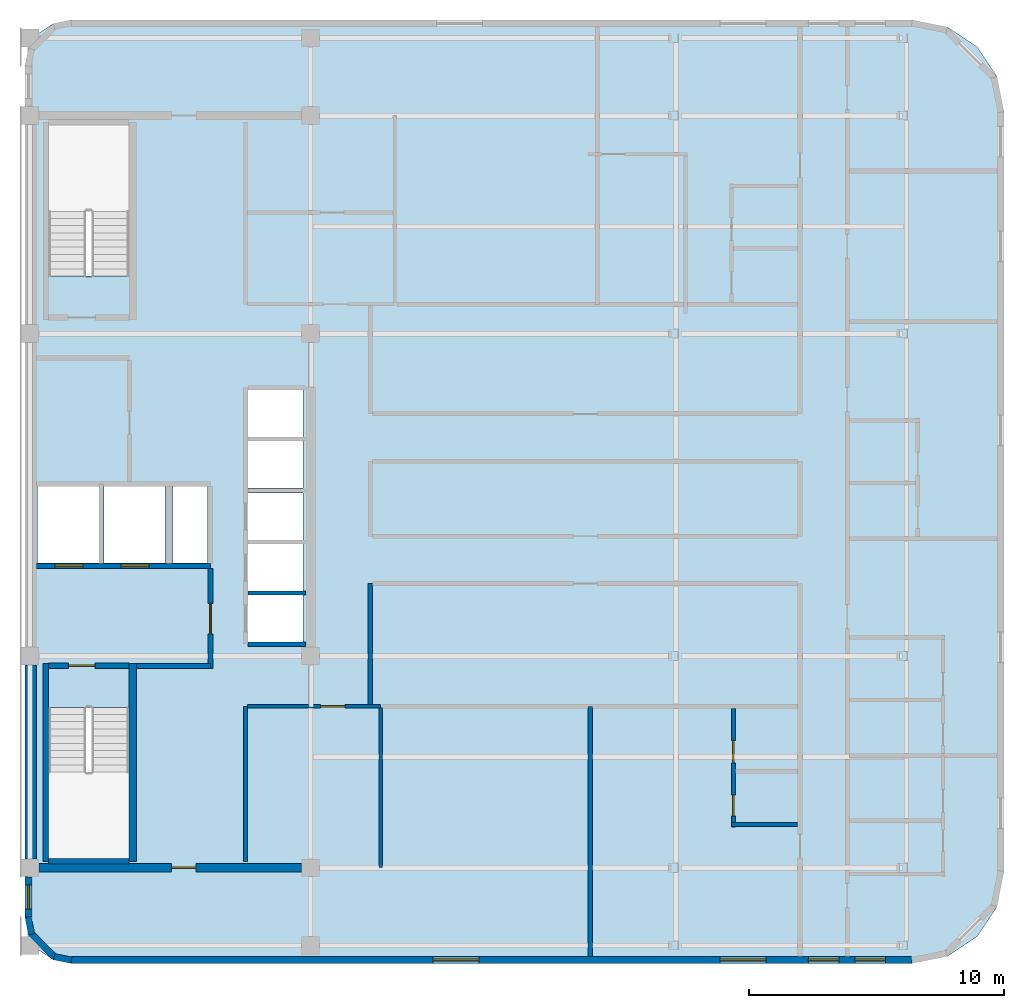
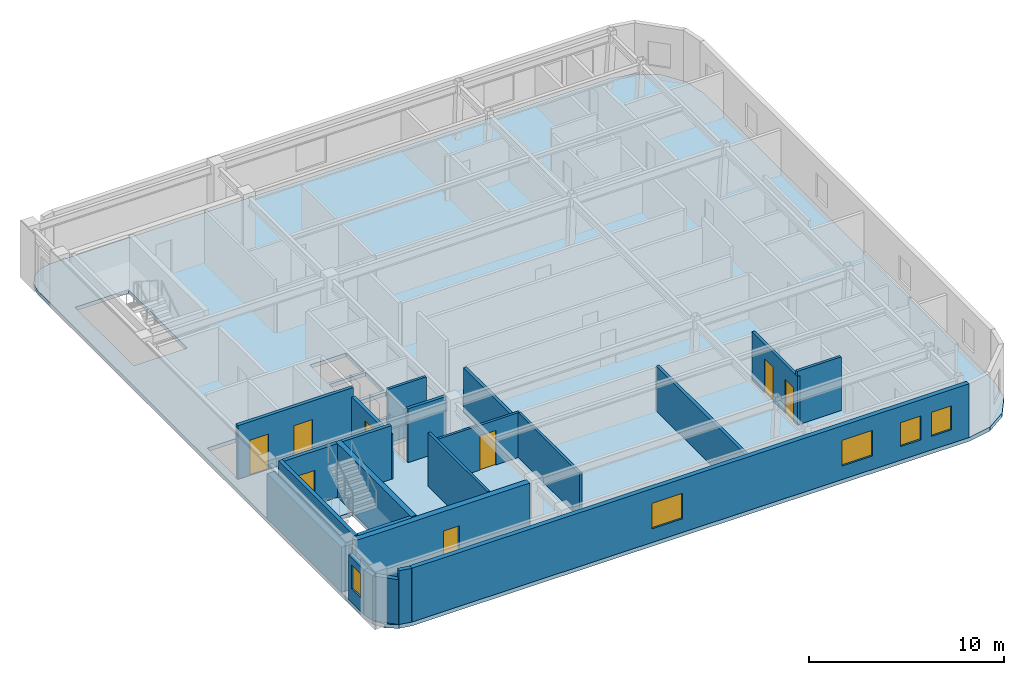
# One storey, part 2 of 6: 23 walls, 8 doors, 5 windows, 1 slab, 13 openings.
"""IFC4 building model written with IfcOpenShell, lengths in metres."""

from ifc_helpers import new_model, si_unit, direction, frame, frame_2d, origin, place, context, subcontext, project, spatial, polyline, rectangle, outline, extrude, material, layer, layer_set, type_object, element, fill, save


model = new_model("IFC4")

# Units and contexts
model_context = context("Model", 3, precision=1e-05, world=origin(), true_north=direction((0.0, 1.0)))
body_context = subcontext(model_context, "Body", "Model", "MODEL_VIEW")
ifc_project = project(units=[si_unit("LENGTHUNIT", "METRE"), si_unit("AREAUNIT", "SQUARE_METRE"), si_unit("VOLUMEUNIT", "CUBIC_METRE"), si_unit("PLANEANGLEUNIT", "RADIAN"), si_unit("MASSUNIT", "GRAM", prefix="KILO")], contexts=[model_context])

# Site, building, storey
site_placement = place(None, origin())
site = spatial("IfcSite", under=ifc_project, at=site_placement, CompositionType="ELEMENT")
building_placement = place(site_placement, origin())
building = spatial("IfcBuilding", under=site, at=building_placement, Name="Ochreholt Gables", CompositionType="ELEMENT")
storey_placement = place(building_placement, frame((0.0, 0.0, 271.199951171875)))
storey = spatial("IfcBuildingStorey", under=building, at=storey_placement, Name="L71", CompositionType="ELEMENT", Elevation=271.199951171875)

# Slab
ifc_material_1 = material(Name="Concrete 40 MPa", Category="concrete")
ifc_layer_1 = layer(ifc_material_1, 0.239990234375, Name="Concrete 40 MPa")
ifc_layer_set_1 = layer_set([ifc_layer_1], Name="Concrete 40 MPa")
slab_type = type_object("IfcSlabType", Name="SLAB-TWR-240", PredefinedType="FLOOR", material=ifc_layer_set_1)
slab_placement = place(storey_placement, frame((0.0, 0.0, -0.239990234375)))
element("IfcSlab", 1, at=slab_placement, inside=storey, type_object=slab_type, Name="L71 Structural Floor Slab", PredefinedType="FLOOR", context=body_context, shape_type="SweptSolid", body=[
    extrude(outline(polyline([(24.0, 7.300048828125), (24.136962890625, 6.611083984375), (24.527099609375, 6.027099609375), (25.111083984375, 5.636962890625), (25.800048828125, 5.5), (58.800048828125, 5.5), (60.177734375, 5.77392578125), (61.345703125, 6.554443359375), (62.1259765625, 7.722412109375), (62.39990234375, 9.10009765625), (62.39990234375, 38.89990234375), (62.1259765625, 40.277587890625), (61.345703125, 41.445556640625), (60.177734375, 42.22607421875), (58.800048828125, 42.5), (25.800048828125, 42.5), (25.111083984375, 42.363037109375), (24.527099609375, 41.972900390625), (24.136962890625, 41.388916015625), (24.0, 40.699951171875), (24.0, 7.300048828125)]), holes=[polyline([(24.919921875, 15.539306640625), (24.919921875, 9.52001953125), (28.080078125, 9.52001953125), (28.080078125, 15.539306640625), (24.919921875, 15.539306640625)]), polyline([(28.080078125, 32.460693359375), (28.080078125, 38.47998046875), (24.919921875, 38.47998046875), (24.919921875, 32.460693359375), (28.080078125, 32.460693359375)]), polyline([(24.5, 21.199951171875), (26.89990234375, 21.199951171875), (26.89990234375, 24.199951171875), (24.5, 24.199951171875), (24.5, 21.199951171875)]), polyline([(27.10009765625, 21.199951171875), (29.5, 21.199951171875), (29.5, 24.199951171875), (27.10009765625, 24.199951171875), (27.10009765625, 21.199951171875)]), polyline([(32.75, 18.10009765625), (34.89990234375, 18.10009765625), (34.89990234375, 19.949951171875), (32.75, 19.949951171875), (32.75, 18.10009765625)]), polyline([(32.75, 20.10009765625), (34.89990234375, 20.10009765625), (34.89990234375, 21.949951171875), (32.75, 21.949951171875), (32.75, 20.10009765625)]), polyline([(32.75, 22.10009765625), (34.89990234375, 22.10009765625), (34.89990234375, 23.949951171875), (32.75, 23.949951171875), (32.75, 22.10009765625)]), polyline([(32.75, 24.14990234375), (34.89990234375, 24.14990234375), (34.89990234375, 26.0), (32.75, 26.0), (32.75, 24.14990234375)]), polyline([(32.75, 26.14990234375), (34.89990234375, 26.14990234375), (34.89990234375, 28.0), (32.75, 28.0), (32.75, 26.14990234375)]), polyline([(29.800048828125, 21.199951171875), (31.14990234375, 21.199951171875), (31.14990234375, 24.199951171875), (29.800048828125, 24.199951171875), (29.800048828125, 21.199951171875)])]), origin(), (0.0, 0.0, 1.0), 0.239990234375),
])

# Wall, opening, door
ifc_material_2 = material(Name="Concrete 50 MPa", Category="concrete")
ifc_layer_2 = layer(ifc_material_2, 0.35009765625, Name="Concrete 50 MPa")
ifc_layer_set_2 = layer_set([ifc_layer_2], Name="Concrete 50 MPa")
wall_type_1 = type_object("IfcWallType", Name="WALL-CSW-350", PredefinedType="SHEAR", material=ifc_layer_set_2)
wall_1_placement = place(storey_placement, frame((24.550048828125, 9.25, 0.0), z_axis=(0.0, 0.0, 1.0), x_axis=(1.0, 0.0, 0.0)))
wall_1 = element("IfcWall", 2, at=wall_1_placement, inside=storey, type_object=wall_type_1, Name="L71 Core South Shear Wall", PredefinedType="SHEAR", context=body_context, shape_type="SweptSolid", body=[
    extrude(rectangle(XDim=10.300048828125, YDim=0.35009765625, at=frame_2d((5.14990234375, 0.0))), origin(), (0.0, 0.0, 1.0), 3.360107421875),
])
opening_1_placement = place(wall_1_placement, frame((5.199951171875, 0.0, 0.0)))
opening_1 = element("IfcOpeningElement", 3, at=opening_1_placement, cuts=wall_1, Name="Opening D-FL2", PredefinedType="OPENING", context=body_context, shape_type="SweptSolid", body=[
    extrude(rectangle(XDim=0.949951171875, YDim=2.14990234375, at=frame_2d((0.47509765625, 1.074951171875))), frame((0.0, 0.18505859375, 0.0), z_axis=(0.0, -1.0, 0.0), x_axis=(1.0, 0.0, 0.0)), (0.0, 0.0, 1.0), 0.3701171875),
])
ifc_material_3 = material(Name="Hollow Metal Steel", Category="steel")
door_type_1 = type_object("IfcDoorType", Name="DR-INT-FLB950", OperationType="NOTDEFINED", PredefinedType="DOOR", material=ifc_material_3)
door_1_placement = place(opening_1_placement, frame((0.949951171875, 0.0, 0.0), z_axis=(0.0, 0.0, 1.0), x_axis=(-1.0, 0.0, 0.0)))
door_1 = element("IfcDoor", 4, at=door_1_placement, inside=storey, type_object=door_type_1, Name="L71 Door D-C3SSL-L71", OperationType="SINGLE_SWING_LEFT", OverallHeight=2.14990234375, OverallWidth=0.949951171875, PredefinedType="DOOR", context=body_context, shape_type="SweptSolid", body=[
    extrude(rectangle(XDim=0.949951171875, YDim=2.14990234375, at=frame_2d((0.47509765625, 1.074951171875))), frame((0.0, 0.02490234375, 0.0), z_axis=(0.0, -1.0, 0.0), x_axis=(1.0, 0.0, 0.0)), (0.0, 0.0, 1.0), 0.050048828125),
])
fill(opening_1, door_1)

# Wall
ifc_layer_3 = layer(ifc_material_2, 0.449951171875, Name="Concrete 50 MPa")
ifc_layer_set_3 = layer_set([ifc_layer_3], Name="Concrete 50 MPa")
wall_type_2 = type_object("IfcWallType", Name="WALL-CSW-EXT", PredefinedType="SHEAR", material=ifc_layer_set_3)
wall_2_placement = place(storey_placement, frame((24.22509765625, 9.60009765625, 0.0), z_axis=(0.0, 0.0, 1.0), x_axis=(0.0, 1.0, 0.0)))
element("IfcWall", 5, at=wall_2_placement, inside=storey, type_object=wall_type_2, Name="L71 Core West Shear Wall WS", PredefinedType="SHEAR", context=body_context, shape_type="SweptSolid", body=[
    extrude(rectangle(XDim=7.599853515625, YDim=0.449951171875, at=frame_2d((3.7998046875, 0.0))), origin(), (0.0, 0.0, 1.0), 2.821044921875),
])

# Wall, openings, windows
ifc_material_4 = material(Name="Precast concrete 40 MPa", Category="concrete")
ifc_layer_4 = layer(ifc_material_4, 0.27001953125, Name="Precast concrete 40 MPa")
ifc_layer_set_4 = layer_set([ifc_layer_4], Name="Precast concrete 40 MPa")
wall_type_3 = type_object("IfcWallType", Name="WALL-EXT-270", PredefinedType="SOLIDWALL", material=ifc_layer_set_4)
wall_3_placement = place(storey_placement, frame((25.820068359375, 5.635009765625, 0.0), z_axis=(0.0, 0.0, 1.0), x_axis=(1.0, 0.0, 0.0)))
wall_3 = element("IfcWall", 6, at=wall_3_placement, inside=storey, type_object=wall_type_3, Name="L71 South Exterior Wall", PredefinedType="SOLIDWALL", context=body_context, shape_type="SweptSolid", body=[
    extrude(rectangle(XDim=32.9599609375, YDim=0.27001953125, at=frame_2d((16.47998046875, 0.0))), origin(), (0.0, 0.0, 1.0), 3.360107421875),
])
opening_2_placement = place(wall_3_placement, frame((14.1875, 0.0, 0.85009765625)))
opening_2 = element("IfcOpeningElement", 7, at=opening_2_placement, cuts=wall_3, Name="Opening WN-1", PredefinedType="OPENING", context=body_context, shape_type="SweptSolid", body=[
    extrude(rectangle(XDim=1.800048828125, YDim=1.60009765625, at=frame_2d((0.89990234375, 0.800048828125))), frame((0.0, 0.14501953125, 0.0), z_axis=(0.0, -1.0, 0.0), x_axis=(1.0, 0.0, 0.0)), (0.0, 0.0, 1.0), 0.2900390625),
])
opening_3_placement = place(wall_3_placement, frame((25.445556640625, 0.0, 0.85009765625)))
opening_3 = element("IfcOpeningElement", 8, at=opening_3_placement, cuts=wall_3, Name="Opening WN-1", PredefinedType="OPENING", context=body_context, shape_type="SweptSolid", body=[
    extrude(rectangle(XDim=1.800048828125, YDim=1.60009765625, at=frame_2d((0.89990234375, 0.800048828125))), frame((0.0, 0.14501953125, 0.0), z_axis=(0.0, -1.0, 0.0), x_axis=(1.0, 0.0, 0.0)), (0.0, 0.0, 1.0), 0.2900390625),
])
opening_4_placement = place(wall_3_placement, frame((28.905029296875, 0.0, 0.85009765625)))
opening_4 = element("IfcOpeningElement", 9, at=opening_4_placement, cuts=wall_3, Name="Opening WN-3", PredefinedType="OPENING", context=body_context, shape_type="SweptSolid", body=[
    extrude(rectangle(XDim=1.199951171875, YDim=1.5, at=frame_2d((0.60009765625, 0.75))), frame((0.0, 0.14501953125, 0.0), z_axis=(0.0, -1.0, 0.0), x_axis=(1.0, 0.0, 0.0)), (0.0, 0.0, 1.0), 0.2900390625),
])
opening_5_placement = place(wall_3_placement, frame((30.73046875, 0.0, 0.85009765625)))
opening_5 = element("IfcOpeningElement", 10, at=opening_5_placement, cuts=wall_3, Name="Opening WN-3", PredefinedType="OPENING", context=body_context, shape_type="SweptSolid", body=[
    extrude(rectangle(XDim=1.199951171875, YDim=1.5, at=frame_2d((0.60009765625, 0.75))), frame((0.0, 0.14501953125, 0.0), z_axis=(0.0, -1.0, 0.0), x_axis=(1.0, 0.0, 0.0)), (0.0, 0.0, 1.0), 0.2900390625),
])
ifc_material_5 = material(Name="Triple-Glazed Thermally Broken Aluminium Window", Category="aluminium")
window_type_1 = type_object("IfcWindowType", Name="WIN-RES-1200", PartitioningType="SINGLE_PANEL", PredefinedType="WINDOW", material=ifc_material_5)
window_1_placement = place(opening_4_placement, origin())
window_1 = element("IfcWindow", 11, at=window_1_placement, inside=storey, type_object=window_type_1, Name="L71 Window W-EXT-S-L71-3", OverallHeight=1.5, OverallWidth=1.199951171875, PartitioningType="SINGLE_PANEL", PredefinedType="WINDOW", context=body_context, shape_type="SweptSolid", body=[
    extrude(rectangle(XDim=1.199951171875, YDim=1.5, at=frame_2d((0.60009765625, 0.75))), frame((0.0, 0.030029296875, 0.0), z_axis=(0.0, -1.0, 0.0), x_axis=(1.0, 0.0, 0.0)), (0.0, 0.0, 1.0), 0.06005859375),
])
fill(opening_4, window_1)
window_2_placement = place(opening_5_placement, origin())
window_2 = element("IfcWindow", 12, at=window_2_placement, inside=storey, type_object=window_type_1, Name="L71 Window W-EXT-S-L71-4", OverallHeight=1.5, OverallWidth=1.199951171875, PartitioningType="SINGLE_PANEL", PredefinedType="WINDOW", context=body_context, shape_type="SweptSolid", body=[
    extrude(rectangle(XDim=1.199951171875, YDim=1.5, at=frame_2d((0.60009765625, 0.75))), frame((0.0, 0.030029296875, 0.0), z_axis=(0.0, -1.0, 0.0), x_axis=(1.0, 0.0, 0.0)), (0.0, 0.0, 1.0), 0.06005859375),
])
fill(opening_5, window_2)
window_type_2 = type_object("IfcWindowType", Name="WIN-RES-1800", PartitioningType="SINGLE_PANEL", PredefinedType="WINDOW", material=ifc_material_5)
window_3_placement = place(opening_2_placement, origin())
window_3 = element("IfcWindow", 13, at=window_3_placement, inside=storey, type_object=window_type_2, Name="L71 Window W-EXT-S-L71-1", OverallHeight=1.60009765625, OverallWidth=1.800048828125, PartitioningType="SINGLE_PANEL", PredefinedType="WINDOW", context=body_context, shape_type="SweptSolid", body=[
    extrude(rectangle(XDim=1.800048828125, YDim=1.60009765625, at=frame_2d((0.89990234375, 0.800048828125))), frame((0.0, 0.030029296875, 0.0), z_axis=(0.0, -1.0, 0.0), x_axis=(1.0, 0.0, 0.0)), (0.0, 0.0, 1.0), 0.06005859375),
])
fill(opening_2, window_3)
window_4_placement = place(opening_3_placement, origin())
window_4 = element("IfcWindow", 14, at=window_4_placement, inside=storey, type_object=window_type_2, Name="L71 Window W-EXT-S-L71-2", OverallHeight=1.60009765625, OverallWidth=1.800048828125, PartitioningType="SINGLE_PANEL", PredefinedType="WINDOW", context=body_context, shape_type="SweptSolid", body=[
    extrude(rectangle(XDim=1.800048828125, YDim=1.60009765625, at=frame_2d((0.89990234375, 0.800048828125))), frame((0.0, 0.030029296875, 0.0), z_axis=(0.0, -1.0, 0.0), x_axis=(1.0, 0.0, 0.0)), (0.0, 0.0, 1.0), 0.06005859375),
])
fill(opening_3, window_4)

# Wall, opening, window
wall_4_placement = place(storey_placement, frame((24.135009765625, 7.320068359375, 0.0), z_axis=(0.0, 0.0, 1.0), x_axis=(0.0, 1.0, 0.0)))
wall_4 = element("IfcWall", 15, at=wall_4_placement, inside=storey, type_object=wall_type_3, Name="L71 West Facade South Bay Wall", PredefinedType="SOLIDWALL", context=body_context, shape_type="SweptSolid", body=[
    extrude(rectangle(XDim=1.559814453125, YDim=0.27001953125, at=frame_2d((0.77978515625, 0.0))), origin(), (0.0, 0.0, 1.0), 2.802978515625),
])
opening_6_placement = place(wall_4_placement, frame((0.304931640625, 0.0, 0.85009765625)))
opening_6 = element("IfcOpeningElement", 16, at=opening_6_placement, cuts=wall_4, Name="Opening WN-10", PredefinedType="OPENING", context=body_context, shape_type="SweptSolid", body=[
    extrude(rectangle(XDim=0.949951171875, YDim=1.5, at=frame_2d((0.47509765625, 0.75))), frame((0.0, 0.14501953125, 0.0), z_axis=(0.0, -1.0, 0.0), x_axis=(1.0, 0.0, 0.0)), (0.0, 0.0, 1.0), 0.2900390625),
])
window_type_3 = type_object("IfcWindowType", Name="WIN-RES-950", PartitioningType="SINGLE_PANEL", PredefinedType="WINDOW", material=ifc_material_5)
window_5_placement = place(opening_6_placement, origin())
window_5 = element("IfcWindow", 17, at=window_5_placement, inside=storey, type_object=window_type_3, Name="L71 South Sky Lounge West Window", OverallHeight=1.5, OverallWidth=0.949951171875, PartitioningType="SINGLE_PANEL", PredefinedType="WINDOW", context=body_context, shape_type="SweptSolid", body=[
    extrude(rectangle(XDim=0.949951171875, YDim=1.5, at=frame_2d((0.47509765625, 0.75))), frame((0.0, 0.030029296875, 0.0), z_axis=(0.0, -1.0, 0.0), x_axis=(1.0, 0.0, 0.0)), (0.0, 0.0, 1.0), 0.06005859375),
])
fill(opening_6, window_5)

# Walls
ifc_layer_5 = layer(ifc_material_4, 0.25, Name="Precast concrete 40 MPa")
ifc_layer_set_5 = layer_set([ifc_layer_5], Name="Precast concrete 40 MPa")
wall_type_4 = type_object("IfcWallType", Name="WALL-EXT-CNR", PredefinedType="SOLIDWALL", material=ifc_layer_set_5)
wall_5_placement = place(storey_placement, frame((24.124267578125, 7.31640625, 0.0), z_axis=(0.0, 0.0, 1.0), x_axis=(0.194952956674, -0.980812594069, 0.0)))
element("IfcWall", 18, at=wall_5_placement, inside=storey, type_object=wall_type_4, Name="L71 Rounded Corner Wall SW-1", PredefinedType="SOLIDWALL", context=body_context, shape_type="SweptSolid", body=[
    extrude(rectangle(XDim=0.686279296875, YDim=0.25, at=frame_2d((0.34326171875, 0.0))), origin(), (0.0, 0.0, 1.0), 2.802978515625),
])
wall_6_placement = place(storey_placement, frame((24.23095703125, 6.69384765625, 0.0), z_axis=(0.0, 0.0, 1.0), x_axis=(0.707106781187, -0.707106781187, 0.0)))
element("IfcWall", 19, at=wall_6_placement, inside=storey, type_object=wall_type_4, Name="L71 Rounded Corner Wall SW-2", PredefinedType="SOLIDWALL", context=body_context, shape_type="SweptSolid", body=[
    extrude(rectangle(XDim=1.36181640625, YDim=0.25, at=frame_2d((0.680908203125, 0.0))), origin(), (0.0, 0.0, 1.0), 2.802978515625),
])
wall_7_placement = place(storey_placement, frame((25.143310546875, 5.758056640625, 0.0), z_axis=(0.0, 0.0, 1.0), x_axis=(0.980812594069, -0.194952956674, 0.0)))
element("IfcWall", 20, at=wall_7_placement, inside=storey, type_object=wall_type_4, Name="L71 Rounded Corner Wall SW-3", PredefinedType="SOLIDWALL", context=body_context, shape_type="SweptSolid", body=[
    extrude(rectangle(XDim=0.686279296875, YDim=0.25, at=frame_2d((0.34326171875, 0.0))), origin(), (0.0, 0.0, 1.0), 3.360107421875),
])

# Wall, openings, doors
ifc_layer_6 = layer(ifc_material_1, 0.199951171875, Name="Concrete 40 MPa")
ifc_layer_set_6 = layer_set([ifc_layer_6], Name="Concrete 40 MPa")
wall_type_5 = type_object("IfcWallType", Name="WALL-INT-CF200", PredefinedType="STANDARD", material=ifc_layer_set_6)
wall_8_placement = place(storey_placement, frame((24.449951171875, 21.090087890625, 0.0), z_axis=(0.0, 0.0, 1.0), x_axis=(1.0, 0.0, 0.0)))
wall_8 = element("IfcWall", 21, at=wall_8_placement, inside=storey, type_object=wall_type_5, Name="L71 Interior Wall WI-FFN-L71", PredefinedType="STANDARD", context=body_context, shape_type="SweptSolid", body=[
    extrude(rectangle(XDim=6.830078125, YDim=0.199951171875, at=frame_2d((3.4150390625, 0.0))), origin(), (0.0, 0.0, 1.0), 3.360107421875),
])
opening_7_placement = place(wall_8_placement, frame((0.719970703125, 0.0, 0.0)))
opening_7 = element("IfcOpeningElement", 22, at=opening_7_placement, cuts=wall_8, Name="Opening LD-FF", PredefinedType="OPENING", context=body_context, shape_type="SweptSolid", body=[
    extrude(rectangle(XDim=1.10009765625, YDim=2.199951171875, at=frame_2d((0.550048828125, 1.10009765625))), frame((0.0, 0.10986328125, 0.0), z_axis=(0.0, -1.0, 0.0), x_axis=(1.0, 0.0, 0.0)), (0.0, 0.0, 1.0), 0.219970703125),
])
opening_8_placement = place(wall_8_placement, frame((3.320068359375, 0.0, 0.0)))
opening_8 = element("IfcOpeningElement", 23, at=opening_8_placement, cuts=wall_8, Name="Opening LD-FF", PredefinedType="OPENING", context=body_context, shape_type="SweptSolid", body=[
    extrude(rectangle(XDim=1.10009765625, YDim=2.199951171875, at=frame_2d((0.550048828125, 1.10009765625))), frame((0.0, 0.10986328125, 0.0), z_axis=(0.0, -1.0, 0.0), x_axis=(1.0, 0.0, 0.0)), (0.0, 0.0, 1.0), 0.219970703125),
])
ifc_material_6 = material(Name="Stainless Steel", Category="steel")
door_type_2 = type_object("IfcDoorType", Name="DR-LFT-FF1100", OperationType="NOTDEFINED", PredefinedType="DOOR", material=ifc_material_6)
door_2_placement = place(opening_7_placement, origin())
door_2 = element("IfcDoor", 24, at=door_2_placement, inside=storey, type_object=door_type_2, Name="L71 Door LD-FF1-L71", OperationType="SLIDING_TO_LEFT", OverallHeight=2.199951171875, OverallWidth=1.10009765625, PredefinedType="DOOR", context=body_context, shape_type="SweptSolid", body=[
    extrude(rectangle(XDim=1.10009765625, YDim=2.199951171875, at=frame_2d((0.550048828125, 1.10009765625))), frame((0.0, 0.02490234375, 0.0), z_axis=(0.0, -1.0, 0.0), x_axis=(1.0, 0.0, 0.0)), (0.0, 0.0, 1.0), 0.050048828125),
])
fill(opening_7, door_2)
door_3_placement = place(opening_8_placement, origin())
door_3 = element("IfcDoor", 25, at=door_3_placement, inside=storey, type_object=door_type_2, Name="L71 Door LD-FF2-L71", OperationType="SLIDING_TO_LEFT", OverallHeight=2.199951171875, OverallWidth=1.10009765625, PredefinedType="DOOR", context=body_context, shape_type="SweptSolid", body=[
    extrude(rectangle(XDim=1.10009765625, YDim=2.199951171875, at=frame_2d((0.550048828125, 1.10009765625))), frame((0.0, 0.02490234375, 0.0), z_axis=(0.0, -1.0, 0.0), x_axis=(1.0, 0.0, 0.0)), (0.0, 0.0, 1.0), 0.050048828125),
])
fill(opening_8, door_3)

# Wall
wall_9_placement = place(storey_placement, frame((28.3798828125, 17.169921875, 0.0), z_axis=(0.0, 0.0, 1.0), x_axis=(1.0, 0.0, 0.0)))
element("IfcWall", 26, at=wall_9_placement, inside=storey, type_object=wall_type_5, Name="L71 Interior Wall WI-FFS-L71", PredefinedType="STANDARD", context=body_context, shape_type="SweptSolid", body=[
    extrude(rectangle(XDim=2.900146484375, YDim=0.199951171875, at=frame_2d((1.4501953125, 0.0))), origin(), (0.0, 0.0, 1.0), 3.360107421875),
])

# Wall, opening, door
wall_10_placement = place(storey_placement, frame((31.280029296875, 17.070068359375, 0.0), z_axis=(0.0, 0.0, 1.0), x_axis=(0.0, 1.0, 0.0)))
wall_10 = element("IfcWall", 27, at=wall_10_placement, inside=storey, type_object=wall_type_5, Name="L71 Interior Wall WI-FFE-L71", PredefinedType="STANDARD", context=body_context, shape_type="SweptSolid", body=[
    extrude(rectangle(XDim=3.919921875, YDim=0.199951171875, at=frame_2d((1.9599609375, 0.0))), origin(), (0.0, 0.0, 1.0), 2.802978515625),
])
opening_9_placement = place(wall_10_placement, frame((1.35009765625, 0.0, 0.0)))
opening_9 = element("IfcOpeningElement", 28, at=opening_9_placement, cuts=wall_10, Name="Opening D-FFL", PredefinedType="OPENING", context=body_context, shape_type="SweptSolid", body=[
    extrude(rectangle(XDim=1.199951171875, YDim=2.14990234375, at=frame_2d((0.60009765625, 1.074951171875))), frame((0.0, 0.10986328125, 0.0), z_axis=(0.0, -1.0, 0.0), x_axis=(1.0, 0.0, 0.0)), (0.0, 0.0, 1.0), 0.219970703125),
])
door_type_3 = type_object("IfcDoorType", Name="DR-INT-FFL1200", OperationType="NOTDEFINED", PredefinedType="DOOR", material=ifc_material_3)
door_4_placement = place(opening_9_placement, origin())
door_4 = element("IfcDoor", 29, at=door_4_placement, inside=storey, type_object=door_type_3, Name="L71 Door D-FFL-L71", OperationType="SINGLE_SWING_LEFT", OverallHeight=2.14990234375, OverallWidth=1.199951171875, PredefinedType="DOOR", context=body_context, shape_type="SweptSolid", body=[
    extrude(rectangle(XDim=1.199951171875, YDim=2.14990234375, at=frame_2d((0.60009765625, 1.074951171875))), frame((0.0, 0.02490234375, 0.0), z_axis=(0.0, -1.0, 0.0), x_axis=(1.0, 0.0, 0.0)), (0.0, 0.0, 1.0), 0.050048828125),
])
fill(opening_9, door_4)

# Walls
ifc_material_7 = material(Name="Fire-Rated Gypsum Acoustic Partition", Category="gypsum")
ifc_layer_7 = layer(ifc_material_7, 0.179931640625, Name="Fire-Rated Gypsum Acoustic Partition")
ifc_layer_set_7 = layer_set([ifc_layer_7], Name="Fire-Rated Gypsum Acoustic Partition")
wall_type_6 = type_object("IfcWallType", Name="WALL-INT-CR180", PredefinedType="STANDARD", material=ifc_layer_set_7)
wall_11_placement = place(storey_placement, frame((37.550048828125, 15.652587890625, 0.0), z_axis=(0.0, 0.0, 1.0), x_axis=(0.0, 1.0, 0.0)))
element("IfcWall", 30, at=wall_11_placement, inside=storey, type_object=wall_type_6, Name="L71 Interior Wall WI-C3CE0-L71", PredefinedType="STANDARD", context=body_context, shape_type="SweptSolid", body=[
    extrude(rectangle(XDim=4.747314453125, YDim=0.179931640625, at=frame_2d((2.37353515625, 0.0))), origin(), (0.0, 0.0, 1.0), 2.802978515625),
])
ifc_material_8 = material(Name="Double-Stud Acoustic Demising Wall", Category="gypsum")
ifc_layer_8 = layer(ifc_material_8, 0.18505859375, Name="Double-Stud Acoustic Demising Wall")
ifc_layer_set_8 = layer_set([ifc_layer_8], Name="Double-Stud Acoustic Demising Wall")
wall_type_7 = type_object("IfcWallType", Name="WALL-INT-DM185", PredefinedType="PARTITIONING", material=ifc_layer_set_8)
wall_12_placement = place(storey_placement, frame((46.175048828125, 5.77001953125, 0.0), z_axis=(0.0, 0.0, 1.0), x_axis=(0.0, 1.0, 0.0)))
element("IfcWall", 31, at=wall_12_placement, inside=storey, type_object=wall_type_7, Name="L71 Interior Wall WI-C3SMX-L71", PredefinedType="PARTITIONING", context=body_context, shape_type="SweptSolid", body=[
    extrude(rectangle(XDim=9.81005859375, YDim=0.18505859375, at=frame_2d((4.905029296875, 0.0))), origin(), (0.0, 0.0, 1.0), 2.802978515625),
])
ifc_material_9 = material(Name="Moisture-Resistant Plumbing Chase Wall", Category="gypsum")
ifc_layer_9 = layer(ifc_material_9, 0.159912109375, Name="Moisture-Resistant Plumbing Chase Wall")
ifc_layer_set_9 = layer_set([ifc_layer_9], Name="Moisture-Resistant Plumbing Chase Wall")
wall_type_8 = type_object("IfcWallType", Name="WALL-INT-PL160", PredefinedType="PLUMBINGWALL", material=ifc_layer_set_9)
wall_13_placement = place(storey_placement, frame((51.7041015625, 10.93994140625, 0.0), z_axis=(0.0, 0.0, 1.0), x_axis=(1.0, 0.0, 0.0)))
element("IfcWall", 32, at=wall_13_placement, inside=storey, type_object=wall_type_8, Name="L71 Interior Wall WU-L71SM1-WYS", PredefinedType="PLUMBINGWALL", context=body_context, shape_type="SweptSolid", body=[
    extrude(rectangle(XDim=2.60595703125, YDim=0.159912109375, at=frame_2d((1.302978515625, 0.0))), origin(), (0.0, 0.0, 1.0), 3.360107421875),
])

# Wall, openings, doors
wall_14_placement = place(storey_placement, frame((51.783935546875, 10.85009765625, 0.0), z_axis=(0.0, 0.0, 1.0), x_axis=(0.0, 1.0, 0.0)))
wall_14 = element("IfcWall", 33, at=wall_14_placement, inside=storey, type_object=wall_type_8, Name="L71 Interior Wall WU-L71SM1-WX", PredefinedType="PLUMBINGWALL", context=body_context, shape_type="SweptSolid", body=[
    extrude(rectangle(XDim=4.637451171875, YDim=0.159912109375, at=frame_2d((2.31884765625, 0.0))), origin(), (0.0, 0.0, 1.0), 3.0390625),
])
opening_10_placement = place(wall_14_placement, frame((0.419921875, 0.0, 0.0)))
opening_10 = element("IfcOpeningElement", 34, at=opening_10_placement, cuts=wall_14, Name="Opening D-BT2", PredefinedType="OPENING", context=body_context, shape_type="SweptSolid", body=[
    extrude(rectangle(XDim=0.840087890625, YDim=2.1201171875, at=frame_2d((0.419921875, 1.06005859375))), frame((0.0, 0.08984375, 0.0), z_axis=(0.0, -1.0, 0.0), x_axis=(1.0, 0.0, 0.0)), (0.0, 0.0, 1.0), 0.179931640625),
])
opening_11_placement = place(wall_14_placement, frame((2.512939453125, 0.0, 0.0)))
opening_11 = element("IfcOpeningElement", 35, at=opening_11_placement, cuts=wall_14, Name="Opening D-GN2", PredefinedType="OPENING", context=body_context, shape_type="SweptSolid", body=[
    extrude(rectangle(XDim=0.8798828125, YDim=2.1201171875, at=frame_2d((0.43994140625, 1.06005859375))), frame((0.0, 0.08984375, 0.0), z_axis=(0.0, -1.0, 0.0), x_axis=(1.0, 0.0, 0.0)), (0.0, 0.0, 1.0), 0.179931640625),
])
ifc_material_10 = material(Name="Engineered Oak Timber", Category="wood")
door_type_4 = type_object("IfcDoorType", Name="DR-INT-BTH840", OperationType="NOTDEFINED", PredefinedType="DOOR", material=ifc_material_10)
door_5_placement = place(opening_10_placement, origin())
door_5 = element("IfcDoor", 36, at=door_5_placement, inside=storey, type_object=door_type_4, Name="L71 Door D-U-L71SM1-BTH", OperationType="SINGLE_SWING_RIGHT", OverallHeight=2.1201171875, OverallWidth=0.840087890625, PredefinedType="DOOR", context=body_context, shape_type="SweptSolid", body=[
    extrude(rectangle(XDim=0.840087890625, YDim=2.1201171875, at=frame_2d((0.419921875, 1.06005859375))), frame((0.0, 0.02490234375, 0.0), z_axis=(0.0, -1.0, 0.0), x_axis=(1.0, 0.0, 0.0)), (0.0, 0.0, 1.0), 0.050048828125),
])
fill(opening_10, door_5)
door_type_5 = type_object("IfcDoorType", Name="DR-INT-GEN880", OperationType="NOTDEFINED", PredefinedType="DOOR", material=ifc_material_10)
door_6_placement = place(opening_11_placement, origin())
door_6 = element("IfcDoor", 37, at=door_6_placement, inside=storey, type_object=door_type_5, Name="L71 Door D-U-L71SM1-KIT", OperationType="SINGLE_SWING_LEFT", OverallHeight=2.1201171875, OverallWidth=0.8798828125, PredefinedType="DOOR", context=body_context, shape_type="SweptSolid", body=[
    extrude(rectangle(XDim=0.8798828125, YDim=2.1201171875, at=frame_2d((0.43994140625, 1.06005859375))), frame((0.0, 0.02490234375, 0.0), z_axis=(0.0, -1.0, 0.0), x_axis=(1.0, 0.0, 0.0)), (0.0, 0.0, 1.0), 0.050048828125),
])
fill(opening_11, door_6)

# Wall
ifc_material_11 = material(Name="Lightweight Stud Partition", Category="gypsum")
ifc_layer_10 = layer(ifc_material_11, 0.14501953125, Name="Lightweight Stud Partition")
ifc_layer_set_10 = layer_set([ifc_layer_10], Name="Lightweight Stud Partition")
wall_type_9 = type_object("IfcWallType", Name="WALL-INT-PT145", PredefinedType="PARTITIONING", material=ifc_layer_set_10)
wall_15_placement = place(storey_placement, frame((32.64990234375, 9.5, 0.0), z_axis=(0.0, 0.0, 1.0), x_axis=(0.0, 1.0, 0.0)))
element("IfcWall", 38, at=wall_15_placement, inside=storey, type_object=wall_type_9, Name="L71 Interior Wall WI-RCL-W-L71", PredefinedType="PARTITIONING", context=body_context, shape_type="SweptSolid", body=[
    extrude(rectangle(XDim=6.080078125, YDim=0.14501953125, at=frame_2d((3.0400390625, 0.0))), origin(), (0.0, 0.0, 1.0), 3.360107421875),
])

# Wall, opening, door
wall_16_placement = place(storey_placement, frame((32.722412109375, 15.580078125, 0.0), z_axis=(0.0, 0.0, 1.0), x_axis=(1.0, 0.0, 0.0)))
wall_16 = element("IfcWall", 39, at=wall_16_placement, inside=storey, type_object=wall_type_9, Name="L71 Interior Wall WI-RCL-N-L71", PredefinedType="PARTITIONING", context=body_context, shape_type="SweptSolid", body=[
    extrude(rectangle(XDim=5.2275390625, YDim=0.14501953125, at=frame_2d((2.61376953125, 0.0))), origin(), (0.0, 0.0, 1.0), 2.802978515625),
])
opening_12_placement = place(wall_16_placement, frame((2.87744140625, 0.0, 0.0)))
opening_12 = element("IfcOpeningElement", 40, at=opening_12_placement, cuts=wall_16, Name="Opening D-GN1", PredefinedType="OPENING", context=body_context, shape_type="SweptSolid", body=[
    extrude(rectangle(XDim=0.949951171875, YDim=2.14990234375, at=frame_2d((0.47509765625, 1.074951171875))), frame((0.0, 0.08251953125, 0.0), z_axis=(0.0, -1.0, 0.0), x_axis=(1.0, 0.0, 0.0)), (0.0, 0.0, 1.0), 0.1650390625),
])
door_type_6 = type_object("IfcDoorType", Name="DR-INT-GEN950", OperationType="NOTDEFINED", PredefinedType="DOOR", material=ifc_material_10)
door_7_placement = place(opening_12_placement, origin())
door_7 = element("IfcDoor", 41, at=door_7_placement, inside=storey, type_object=door_type_6, Name="L71 Door D-RCL-L71", OperationType="SINGLE_SWING_LEFT", OverallHeight=2.14990234375, OverallWidth=0.949951171875, PredefinedType="DOOR", context=body_context, shape_type="SweptSolid", body=[
    extrude(rectangle(XDim=0.949951171875, YDim=2.14990234375, at=frame_2d((0.47509765625, 1.074951171875))), frame((0.0, 0.02490234375, 0.0), z_axis=(0.0, -1.0, 0.0), x_axis=(1.0, 0.0, 0.0)), (0.0, 0.0, 1.0), 0.050048828125),
])
fill(opening_12, door_7)

# Walls
wall_17_placement = place(storey_placement, frame((37.949951171875, 9.25, 0.0), z_axis=(0.0, 0.0, 1.0), x_axis=(0.0, 1.0, 0.0)))
element("IfcWall", 42, at=wall_17_placement, inside=storey, type_object=wall_type_9, Name="L71 Interior Wall WI-RCL-E-L71", PredefinedType="PARTITIONING", context=body_context, shape_type="SweptSolid", body=[
    extrude(rectangle(XDim=6.257568359375, YDim=0.14501953125, at=frame_2d((3.12890625, 0.0))), origin(), (0.0, 0.0, 1.0), 2.802978515625),
])
ifc_material_12 = material(Name="Gypsum Shaftliner and Steel Stud", Category="steel")
ifc_layer_11 = layer(ifc_material_12, 0.14990234375, Name="Gypsum Shaftliner and Steel Stud")
ifc_layer_set_11 = layer_set([ifc_layer_11], Name="Gypsum Shaftliner and Steel Stud")
wall_type_10 = type_object("IfcWallType", Name="WALL-INT-SH150", PredefinedType="STANDARD", material=ifc_layer_set_11)
wall_18_placement = place(storey_placement, frame((32.739990234375, 20.02001953125, 0.0), z_axis=(0.0, 0.0, 1.0), x_axis=(1.0, 0.0, 0.0)))
element("IfcWall", 43, at=wall_18_placement, inside=storey, type_object=wall_type_10, Name="L71 Interior Wall WI-LFHE-DH1-L71", PredefinedType="STANDARD", context=body_context, shape_type="SweptSolid", body=[
    extrude(rectangle(XDim=2.260009765625, YDim=0.14990234375, at=frame_2d((1.1298828125, 0.0))), origin(), (0.0, 0.0, 1.0), 3.360107421875),
])
ifc_layer_12 = layer(ifc_material_12, 0.179931640625, Name="Gypsum Shaftliner and Steel Stud")
ifc_layer_set_12 = layer_set([ifc_layer_12], Name="Gypsum Shaftliner and Steel Stud")
wall_type_11 = type_object("IfcWallType", Name="WALL-INT-SH180", PredefinedType="STANDARD", material=ifc_layer_set_12)
wall_19_placement = place(storey_placement, frame((32.739990234375, 18.02001953125, 0.0), z_axis=(0.0, 0.0, 1.0), x_axis=(1.0, 0.0, 0.0)))
element("IfcWall", 44, at=wall_19_placement, inside=storey, type_object=wall_type_11, Name="L71 Interior Wall WI-LFHE-S-L71", PredefinedType="STANDARD", context=body_context, shape_type="SweptSolid", body=[
    extrude(rectangle(XDim=2.260009765625, YDim=0.179931640625, at=frame_2d((1.1298828125, 0.0))), origin(), (0.0, 0.0, 1.0), 3.360107421875),
])
ifc_material_13 = material(Name="Concrete 60 MPa", Category="concrete")
ifc_layer_13 = layer(ifc_material_13, 0.300048828125, Name="Concrete 60 MPa")
ifc_layer_set_13 = layer_set([ifc_layer_13], Name="Concrete 60 MPa")
wall_type_12 = type_object("IfcWallType", Name="WALL-SPN-300", PredefinedType="SHEAR", material=ifc_layer_set_13)
wall_20_placement = place(storey_placement, frame((28.22998046875, 9.5, 0.0), z_axis=(0.0, 0.0, 1.0), x_axis=(0.0, 1.0, 0.0)))
element("IfcWall", 45, at=wall_20_placement, inside=storey, type_object=wall_type_12, Name="L71 Core South Spine Shear Wall", PredefinedType="SHEAR", context=body_context, shape_type="SweptSolid", body=[
    extrude(rectangle(XDim=7.760009765625, YDim=0.300048828125, at=frame_2d((3.8798828125, 0.0))), origin(), (0.0, 0.0, 1.0), 3.360107421875),
])
ifc_layer_14 = layer(ifc_material_2, 0.219970703125, Name="Concrete 50 MPa")
ifc_layer_set_14 = layer_set([ifc_layer_14], Name="Concrete 50 MPa")
wall_type_13 = type_object("IfcWallType", Name="WALL-STW-220", PredefinedType="SHEAR", material=ifc_layer_set_14)
wall_21_placement = place(storey_placement, frame((24.81005859375, 9.5, 0.0), z_axis=(0.0, 0.0, 1.0), x_axis=(0.0, 1.0, 0.0)))
element("IfcWall", 46, at=wall_21_placement, inside=storey, type_object=wall_type_13, Name="L71 Exit Stair 1 West Wall", PredefinedType="SHEAR", context=body_context, shape_type="SweptSolid", body=[
    extrude(rectangle(XDim=7.760009765625, YDim=0.219970703125, at=frame_2d((3.8798828125, 0.0))), origin(), (0.0, 0.0, 1.0), 3.360107421875),
])
wall_22_placement = place(storey_placement, frame((24.919921875, 9.510009765625, 0.0), z_axis=(0.0, 0.0, 1.0), x_axis=(1.0, 0.0, 0.0)))
element("IfcWall", 47, at=wall_22_placement, inside=storey, type_object=wall_type_13, Name="L71 Exit Stair 1 South Wall", PredefinedType="SHEAR", context=body_context, shape_type="SweptSolid", body=[
    extrude(rectangle(XDim=3.16015625, YDim=0.219970703125, at=frame_2d((1.580078125, 0.0))), origin(), (0.0, 0.0, 1.0), 3.360107421875),
])

# Wall, opening, door
wall_23_placement = place(storey_placement, frame((24.919921875, 17.169921875, 0.0), z_axis=(0.0, 0.0, 1.0), x_axis=(1.0, 0.0, 0.0)))
wall_23 = element("IfcWall", 48, at=wall_23_placement, inside=storey, type_object=wall_type_13, Name="L71 Exit Stair 1 North Wall", PredefinedType="SHEAR", context=body_context, shape_type="SweptSolid", body=[
    extrude(rectangle(XDim=3.16015625, YDim=0.219970703125, at=frame_2d((1.580078125, 0.0))), origin(), (0.0, 0.0, 1.0), 3.360107421875),
])
opening_13_placement = place(wall_23_placement, frame((0.780029296875, 0.0, 0.0)))
opening_13 = element("IfcOpeningElement", 49, at=opening_13_placement, cuts=wall_23, Name="Opening D-STC", PredefinedType="OPENING", context=body_context, shape_type="SweptSolid", body=[
    extrude(rectangle(XDim=1.050048828125, YDim=2.14990234375, at=frame_2d((0.52490234375, 1.074951171875))), frame((0.0, 0.119873046875, 0.0), z_axis=(0.0, -1.0, 0.0), x_axis=(1.0, 0.0, 0.0)), (0.0, 0.0, 1.0), 0.239990234375),
])
door_type_7 = type_object("IfcDoorType", Name="DR-INT-ST1050", OperationType="NOTDEFINED", PredefinedType="DOOR", material=ifc_material_3)
door_8_placement = place(opening_13_placement, frame((1.050048828125, 0.0, 0.0), z_axis=(0.0, 0.0, 1.0), x_axis=(-1.0, 0.0, 0.0)))
door_8 = element("IfcDoor", 50, at=door_8_placement, inside=storey, type_object=door_type_7, Name="L71 Door D-ST1-L71", OperationType="SINGLE_SWING_LEFT", OverallHeight=2.14990234375, OverallWidth=1.050048828125, PredefinedType="DOOR", context=body_context, shape_type="SweptSolid", body=[
    extrude(rectangle(XDim=1.050048828125, YDim=2.14990234375, at=frame_2d((0.52490234375, 1.074951171875))), frame((0.0, 0.02490234375, 0.0), z_axis=(0.0, -1.0, 0.0), x_axis=(1.0, 0.0, 0.0)), (0.0, 0.0, 1.0), 0.050048828125),
])
fill(opening_13, door_8)

save(model, "model.ifc")
